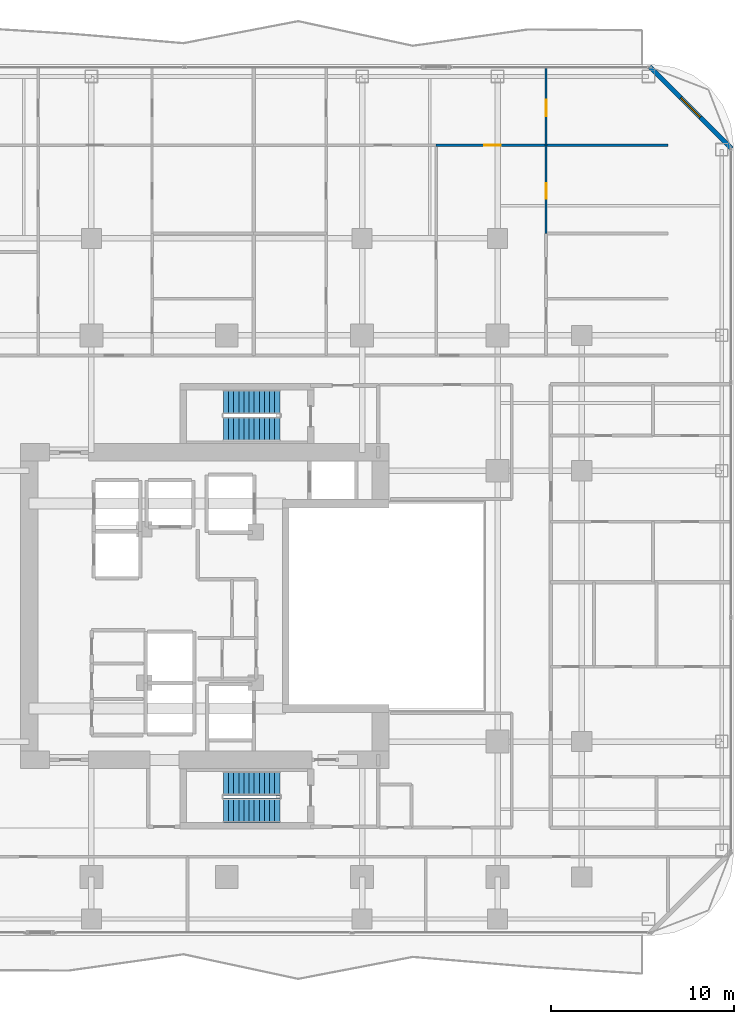
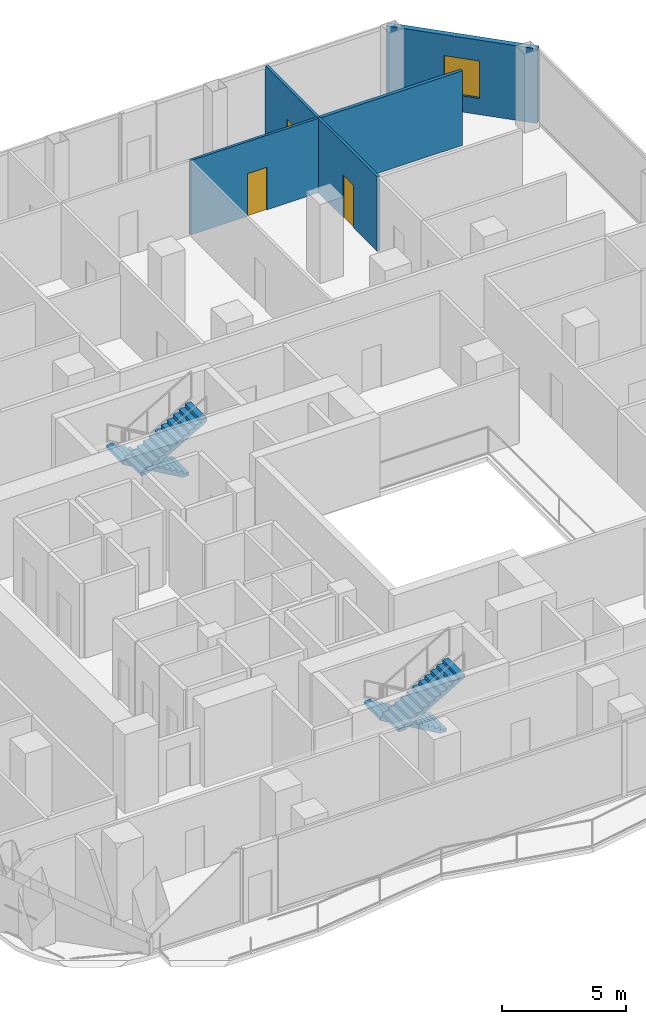
# One storey, part 24 of 27: 5 walls, 4 stair flights, 3 doors, 1 window, 4 openings, 2 elements without a shape of their own.
"""IFC4 building model written with IfcOpenShell, lengths in metres."""

from ifc_helpers import new_model, si_unit, direction, frame, frame_2d, origin, place, context, subcontext, project, spatial, polyline, rectangle, outline, extrude, material, layer, layer_set, type_object, element, fill, aggregate, save


model = new_model("IFC4")

# Units and contexts
model_context = context("Model", 3, precision=1e-05, world=origin(), true_north=direction((0.0, 1.0)))
body_context = subcontext(model_context, "Body", "Model", "MODEL_VIEW")
ifc_project = project(units=[si_unit("LENGTHUNIT", "METRE"), si_unit("AREAUNIT", "SQUARE_METRE"), si_unit("VOLUMEUNIT", "CUBIC_METRE"), si_unit("PLANEANGLEUNIT", "RADIAN"), si_unit("MASSUNIT", "GRAM", prefix="KILO")], contexts=[model_context])

# Site, building, storey
site_placement = place(None, origin())
site = spatial("IfcSite", under=ifc_project, at=site_placement, CompositionType="ELEMENT")
building_placement = place(site_placement, origin())
building = spatial("IfcBuilding", under=site, at=building_placement, Name="Khorvyn Point Tower", CompositionType="ELEMENT")
storey_placement = place(building_placement, frame((0.0, 0.0, 125.10009765625)))
storey = spatial("IfcBuildingStorey", under=building, at=storey_placement, Name="L31", CompositionType="ELEMENT", Elevation=125.10009765625)

# Wall, opening, window
ifc_material_1 = material(Name="Pale anodised aluminium rainscreen on steel stud", Category="steel")
ifc_layer_1 = layer(ifc_material_1, 0.239990234375)
ifc_layer_set_1 = layer_set([ifc_layer_1], Name="Anodised Aluminium Insulated Corner Spandrel Wall 240")
wall_type_1 = type_object("IfcWallType", Name="Anodised Aluminium Insulated Corner Spandrel Wall 240", PredefinedType="SOLIDWALL", material=ifc_layer_set_1)
wall_1_placement = place(storey_placement, frame((23.107666015625, 29.492431640625, 0.0), z_axis=(0.0, 0.0, 1.0), x_axis=(0.707087534163, -0.707126027686, 0.0)))
wall_1 = element("IfcWall", 1, at=wall_1_placement, inside=storey, type_object=wall_type_1, Name="L31 Rounded Corner Wall NE", PredefinedType="SOLIDWALL", context=body_context, shape_type="SweptSolid", body=[
    extrude(rectangle(XDim=6.34228515625, YDim=0.239990234375, at=frame_2d((3.171142578125, 0.0))), origin(), (0.0, 0.0, 1.0), 3.679931640625),
])
opening_1_placement = place(wall_1_placement, frame((2.42138671875, 0.0, 0.800048828125)))
opening_1 = element("IfcOpeningElement", 2, at=opening_1_placement, cuts=wall_1, Name="Opening WN-1518", PredefinedType="OPENING", context=body_context, shape_type="SweptSolid", body=[
    extrude(rectangle(XDim=1.5, YDim=1.85009765625, at=frame_2d((0.75, 0.925048828125))), frame((0.0, 0.1298828125, 0.0), z_axis=(0.0, -1.0, 0.0), x_axis=(1.0, 0.0, 0.0)), (0.0, 0.0, 1.0), 0.260009765625),
])
ifc_material_2 = material(Name="Anodised aluminium 6063-T6 and laminated Low-E glass", Category="aluminium")
window_type = type_object("IfcWindowType", Name="Anodised Aluminium Rounded-Corner Panoramic Window 1500x1850", PartitioningType="SINGLE_PANEL", PredefinedType="WINDOW", material=ifc_material_2)
window_placement = place(opening_1_placement, origin())
window = element("IfcWindow", 3, at=window_placement, inside=storey, type_object=window_type, Name="L31 Corner Panoramic Window NE", OverallHeight=1.85009765625, OverallWidth=1.5, PartitioningType="SINGLE_PANEL", PredefinedType="WINDOW", context=body_context, shape_type="SweptSolid", body=[
    extrude(rectangle(XDim=1.5, YDim=1.85009765625, at=frame_2d((0.75, 0.925048828125))), frame((0.0, 0.030029296875, 0.0), z_axis=(0.0, -1.0, 0.0), x_axis=(1.0, 0.0, 0.0)), (0.0, 0.0, 1.0), 0.06005859375),
])
fill(opening_1, window)

# Wall, opening, door
ifc_material_3 = material(Name="Gypsum plasterboard on steel stud", Category="steel")
ifc_layer_2 = layer(ifc_material_3, 0.1201171875)
ifc_layer_set_2 = layer_set([ifc_layer_2], Name="Gypsum Acoustic Stud Room Partition Wall 120")
wall_type_2 = type_object("IfcWallType", Name="Gypsum Acoustic Stud Room Partition Wall 120", PredefinedType="PARTITIONING", material=ifc_layer_set_2)
wall_2_placement = place(storey_placement, frame((11.444091796875, 25.18994140625, 0.0), z_axis=(0.0, 0.0, 1.0), x_axis=(1.0, 0.0, 0.0)))
wall_2 = element("IfcWall", 4, at=wall_2_placement, inside=storey, type_object=wall_type_2, Name="Wall", PredefinedType="PARTITIONING", context=body_context, shape_type="SweptSolid", body=[
    extrude(rectangle(XDim=6.005859375, YDim=0.1201171875, at=frame_2d((3.0029296875, 0.0))), origin(), (0.0, 0.0, 1.0), 3.679931640625),
])
opening_2_placement = place(wall_2_placement, frame((2.6416015625, 0.0, 0.0)))
opening_2 = element("IfcOpeningElement", 5, at=opening_2_placement, cuts=wall_2, Name="Opening ID-RM90", PredefinedType="OPENING", context=body_context, shape_type="SweptSolid", body=[
    extrude(rectangle(XDim=0.89990234375, YDim=2.10009765625, at=frame_2d((0.449951171875, 1.050048828125))), frame((0.0, 0.070068359375, 0.0), z_axis=(0.0, -1.0, 0.0), x_axis=(1.0, 0.0, 0.0)), (0.0, 0.0, 1.0), 0.14013671875),
])
ifc_material_4 = material(Name="Engineered oak veneer timber", Category="wood")
door_type_1 = type_object("IfcDoorType", Name="Flush Engineered Timber Room Door 900x2100", OperationType="NOTDEFINED", PredefinedType="DOOR", material=ifc_material_4)
door_1_placement = place(opening_2_placement, origin())
door_1 = element("IfcDoor", 6, at=door_1_placement, inside=storey, type_object=door_type_1, Name="Door", OperationType="SINGLE_SWING_RIGHT", OverallHeight=2.10009765625, OverallWidth=0.89990234375, PredefinedType="DOOR", context=body_context, shape_type="SweptSolid", body=[
    extrude(rectangle(XDim=0.89990234375, YDim=2.10009765625, at=frame_2d((0.449951171875, 1.050048828125))), frame((0.0, 0.02490234375, 0.0), z_axis=(0.0, -1.0, 0.0), x_axis=(1.0, 0.0, 0.0)), (0.0, 0.0, 1.0), 0.050048828125),
])
fill(opening_2, door_1)

wall_3_placement = place(storey_placement, frame((17.449951171875, 20.364013671875, 0.0), z_axis=(0.0, 0.0, 1.0), x_axis=(0.0, 1.0, 0.0)))
wall_3 = element("IfcWall", 7, at=wall_3_placement, inside=storey, type_object=wall_type_2, Name="Wall", PredefinedType="PARTITIONING", context=body_context, shape_type="SweptSolid", body=[
    extrude(rectangle(XDim=4.825927734375, YDim=0.1201171875, at=frame_2d((2.4130859375, 0.0))), origin(), (0.0, 0.0, 1.0), 3.679931640625),
])
opening_3_placement = place(wall_3_placement, frame((1.90087890625, 0.0, 0.0)))
opening_3 = element("IfcOpeningElement", 8, at=opening_3_placement, cuts=wall_3, Name="Opening ID-WC85", PredefinedType="OPENING", context=body_context, shape_type="SweptSolid", body=[
    extrude(rectangle(XDim=0.85009765625, YDim=2.10009765625, at=frame_2d((0.425048828125, 1.050048828125))), frame((0.0, 0.070068359375, 0.0), z_axis=(0.0, -1.0, 0.0), x_axis=(1.0, 0.0, 0.0)), (0.0, 0.0, 1.0), 0.14013671875),
])
ifc_material_5 = material(Name="High-pressure laminate on moisture-resistant core", Category="wood")
door_type_2 = type_object("IfcDoorType", Name="Moisture-Resistant Accessible Washroom Door 850x2100", OperationType="NOTDEFINED", PredefinedType="DOOR", material=ifc_material_5)
door_2_placement = place(opening_3_placement, origin())
door_2 = element("IfcDoor", 9, at=door_2_placement, inside=storey, type_object=door_type_2, Name="Door", OperationType="SINGLE_SWING_LEFT", OverallHeight=2.10009765625, OverallWidth=0.85009765625, PredefinedType="DOOR", context=body_context, shape_type="SweptSolid", body=[
    extrude(rectangle(XDim=0.85009765625, YDim=2.10009765625, at=frame_2d((0.425048828125, 1.050048828125))), frame((0.0, 0.02490234375, 0.0), z_axis=(0.0, -1.0, 0.0), x_axis=(1.0, 0.0, 0.0)), (0.0, 0.0, 1.0), 0.050048828125),
])
fill(opening_3, door_2)

wall_4_placement = place(storey_placement, frame((17.449951171875, 25.18994140625, 0.0), z_axis=(0.0, 0.0, 1.0), x_axis=(0.0, 1.0, 0.0)))
wall_4 = element("IfcWall", 10, at=wall_4_placement, inside=storey, type_object=wall_type_2, Name="Wall", PredefinedType="PARTITIONING", context=body_context, shape_type="SweptSolid", body=[
    extrude(rectangle(XDim=4.239990234375, YDim=0.1201171875, at=frame_2d((2.1201171875, 0.0))), origin(), (0.0, 0.0, 1.0), 3.679931640625),
])
opening_4_placement = place(wall_4_placement, frame((1.581298828125, 0.0, 0.0)))
opening_4 = element("IfcOpeningElement", 11, at=opening_4_placement, cuts=wall_4, Name="Opening ID-RM90", PredefinedType="OPENING", context=body_context, shape_type="SweptSolid", body=[
    extrude(rectangle(XDim=0.89990234375, YDim=2.10009765625, at=frame_2d((0.449951171875, 1.050048828125))), frame((0.0, 0.070068359375, 0.0), z_axis=(0.0, -1.0, 0.0), x_axis=(1.0, 0.0, 0.0)), (0.0, 0.0, 1.0), 0.14013671875),
])
door_3_placement = place(opening_4_placement, origin())
door_3 = element("IfcDoor", 12, at=door_3_placement, inside=storey, type_object=door_type_1, Name="Door", OperationType="SINGLE_SWING_RIGHT", OverallHeight=2.10009765625, OverallWidth=0.89990234375, PredefinedType="DOOR", context=body_context, shape_type="SweptSolid", body=[
    extrude(rectangle(XDim=0.89990234375, YDim=2.10009765625, at=frame_2d((0.449951171875, 1.050048828125))), frame((0.0, 0.02490234375, 0.0), z_axis=(0.0, -1.0, 0.0), x_axis=(1.0, 0.0, 0.0)), (0.0, 0.0, 1.0), 0.050048828125),
])
fill(opening_4, door_3)

# Wall
ifc_material_6 = material(Name="Moisture-resistant gypsum and cement board", Category="gypsum")
ifc_layer_3 = layer(ifc_material_6, 0.14990234375)
ifc_layer_set_3 = layer_set([ifc_layer_3], Name="Moisture-Resistant Wet-Room Partition Wall 150")
wall_type_3 = type_object("IfcWallType", Name="Moisture-Resistant Wet-Room Partition Wall 150", PredefinedType="PARTITIONING", material=ifc_layer_set_3)
wall_5_placement = place(storey_placement, frame((17.449951171875, 25.18994140625, 0.0), z_axis=(0.0, 0.0, 1.0), x_axis=(1.0, 0.0, 0.0)))
element("IfcWall", 13, at=wall_5_placement, inside=storey, type_object=wall_type_3, Name="Wall", PredefinedType="PARTITIONING", context=body_context, shape_type="SweptSolid", body=[
    extrude(rectangle(XDim=6.670166015625, YDim=0.14990234375, at=frame_2d((3.3349609375, 0.0))), origin(), (0.0, 0.0, 1.0), 3.679931640625),
])

# Stair, stair flights
ifc_material_7 = material(Name="Concrete C40/50", Category="concrete")
stair_type = type_object("IfcStairType", Name="Tower Concrete C40/50 Dogleg Exit Stair", PredefinedType="HALF_TURN_STAIR", material=ifc_material_7)
stair_1_placement = place(storey_placement, origin())
stair_1 = element("IfcStair", 14, at=stair_1_placement, inside=storey, type_object=stair_type, Name="L31 Tower Smokeproof Exit Stair South", PredefinedType="HALF_TURN_STAIR")
stair_flight_type = type_object("IfcStairFlightType", Name="Tower Concrete C40/50 Stair Flight", PredefinedType="STRAIGHT", material=ifc_material_7)
stair_flight_1_placement = place(storey_placement, frame((2.89990234375, -9.679931640625, 0.0), z_axis=(0.0, 0.0, 1.0), x_axis=(-1.0, 0.0, 0.0)))
stair_flight_1 = element("IfcStairFlight", 15, at=stair_flight_1_placement, type_object=stair_flight_type, Name="ST-01 flight 1", NumberOfRisers=12, NumberOfTreads=11, PredefinedType="STRAIGHT", RiserHeight=0.1625, TreadLength=0.28, context=body_context, shape_type="SweptSolid", body=[
    extrude(outline(polyline([(0.0, 0.0), (0.0, 0.16259765625), (0.280029296875, 0.16259765625), (0.280029296875, 0.324951171875), (0.56005859375, 0.324951171875), (0.56005859375, 0.487548828125), (0.840087890625, 0.487548828125), (0.840087890625, 0.64990234375), (1.1201171875, 0.64990234375), (1.1201171875, 0.8125), (1.39990234375, 0.8125), (1.39990234375, 0.97509765625), (1.679931640625, 0.97509765625), (1.679931640625, 1.137451171875), (1.9599609375, 1.137451171875), (1.9599609375, 1.300048828125), (2.239990234375, 1.300048828125), (2.239990234375, 1.46240234375), (2.52001953125, 1.46240234375), (2.52001953125, 1.625), (2.800048828125, 1.625), (2.800048828125, 1.78759765625), (3.080078125, 1.78759765625), (3.080078125, 1.949951171875), (3.080078125, 1.6142578125), (0.298583984375, 0.0), (0.0, 0.0)])), frame((0.0, 0.66015625, 0.0), z_axis=(0.0, -1.0, 0.0), x_axis=(1.0, 0.0, 0.0)), (0.0, 0.0, 1.0), 1.320068359375),
])
stair_flight_2_placement = place(storey_placement, frame((-0.179931640625, -11.159912109375, 1.949951171875), z_axis=(0.0, 0.0, 1.0), x_axis=(1.0, 0.0, 0.0)))
stair_flight_2 = element("IfcStairFlight", 16, at=stair_flight_2_placement, type_object=stair_flight_type, Name="ST-01 flight 2", NumberOfRisers=12, NumberOfTreads=11, PredefinedType="STRAIGHT", RiserHeight=0.1625, TreadLength=0.28, context=body_context, shape_type="SweptSolid", body=[
    extrude(outline(polyline([(0.0, 0.0), (0.0, 0.16259765625), (0.280029296875, 0.16259765625), (0.280029296875, 0.324951171875), (0.56005859375, 0.324951171875), (0.56005859375, 0.487548828125), (0.840087890625, 0.487548828125), (0.840087890625, 0.64990234375), (1.1201171875, 0.64990234375), (1.1201171875, 0.8125), (1.39990234375, 0.8125), (1.39990234375, 0.97509765625), (1.679931640625, 0.97509765625), (1.679931640625, 1.137451171875), (1.9599609375, 1.137451171875), (1.9599609375, 1.300048828125), (2.239990234375, 1.300048828125), (2.239990234375, 1.46240234375), (2.52001953125, 1.46240234375), (2.52001953125, 1.625), (2.800048828125, 1.625), (2.800048828125, 1.78759765625), (3.080078125, 1.78759765625), (3.080078125, 1.949951171875), (3.080078125, 1.6142578125), (0.298583984375, 0.0), (0.0, 0.0)])), frame((0.0, 0.66015625, 0.0), z_axis=(0.0, -1.0, 0.0), x_axis=(1.0, 0.0, 0.0)), (0.0, 0.0, 1.0), 1.320068359375),
])
aggregate(stair_1, [stair_flight_1, stair_flight_2])

stair_2_placement = place(storey_placement, origin())
stair_2 = element("IfcStair", 17, at=stair_2_placement, inside=storey, type_object=stair_type, Name="L31 Tower Smokeproof Exit Stair North", PredefinedType="HALF_TURN_STAIR")
stair_flight_3_placement = place(storey_placement, frame((2.89990234375, 11.159912109375, 0.0), z_axis=(0.0, 0.0, 1.0), x_axis=(-1.0, 0.0, 0.0)))
stair_flight_3 = element("IfcStairFlight", 18, at=stair_flight_3_placement, type_object=stair_flight_type, Name="ST-02 flight 1", NumberOfRisers=12, NumberOfTreads=11, PredefinedType="STRAIGHT", RiserHeight=0.1625, TreadLength=0.28, context=body_context, shape_type="SweptSolid", body=[
    extrude(outline(polyline([(0.0, 0.0), (0.0, 0.16259765625), (0.280029296875, 0.16259765625), (0.280029296875, 0.324951171875), (0.56005859375, 0.324951171875), (0.56005859375, 0.487548828125), (0.840087890625, 0.487548828125), (0.840087890625, 0.64990234375), (1.1201171875, 0.64990234375), (1.1201171875, 0.8125), (1.39990234375, 0.8125), (1.39990234375, 0.97509765625), (1.679931640625, 0.97509765625), (1.679931640625, 1.137451171875), (1.9599609375, 1.137451171875), (1.9599609375, 1.300048828125), (2.239990234375, 1.300048828125), (2.239990234375, 1.46240234375), (2.52001953125, 1.46240234375), (2.52001953125, 1.625), (2.800048828125, 1.625), (2.800048828125, 1.78759765625), (3.080078125, 1.78759765625), (3.080078125, 1.949951171875), (3.080078125, 1.6142578125), (0.298583984375, 0.0), (0.0, 0.0)])), frame((0.0, 0.66015625, 0.0), z_axis=(0.0, -1.0, 0.0), x_axis=(1.0, 0.0, 0.0)), (0.0, 0.0, 1.0), 1.320068359375),
])
stair_flight_4_placement = place(storey_placement, frame((-0.179931640625, 9.679931640625, 1.949951171875), z_axis=(0.0, 0.0, 1.0), x_axis=(1.0, 0.0, 0.0)))
stair_flight_4 = element("IfcStairFlight", 19, at=stair_flight_4_placement, type_object=stair_flight_type, Name="ST-02 flight 2", NumberOfRisers=12, NumberOfTreads=11, PredefinedType="STRAIGHT", RiserHeight=0.1625, TreadLength=0.28, context=body_context, shape_type="SweptSolid", body=[
    extrude(outline(polyline([(0.0, 0.0), (0.0, 0.16259765625), (0.280029296875, 0.16259765625), (0.280029296875, 0.324951171875), (0.56005859375, 0.324951171875), (0.56005859375, 0.487548828125), (0.840087890625, 0.487548828125), (0.840087890625, 0.64990234375), (1.1201171875, 0.64990234375), (1.1201171875, 0.8125), (1.39990234375, 0.8125), (1.39990234375, 0.97509765625), (1.679931640625, 0.97509765625), (1.679931640625, 1.137451171875), (1.9599609375, 1.137451171875), (1.9599609375, 1.300048828125), (2.239990234375, 1.300048828125), (2.239990234375, 1.46240234375), (2.52001953125, 1.46240234375), (2.52001953125, 1.625), (2.800048828125, 1.625), (2.800048828125, 1.78759765625), (3.080078125, 1.78759765625), (3.080078125, 1.949951171875), (3.080078125, 1.6142578125), (0.298583984375, 0.0), (0.0, 0.0)])), frame((0.0, 0.66015625, 0.0), z_axis=(0.0, -1.0, 0.0), x_axis=(1.0, 0.0, 0.0)), (0.0, 0.0, 1.0), 1.320068359375),
])
aggregate(stair_2, [stair_flight_3, stair_flight_4])

save(model, "model.ifc")
